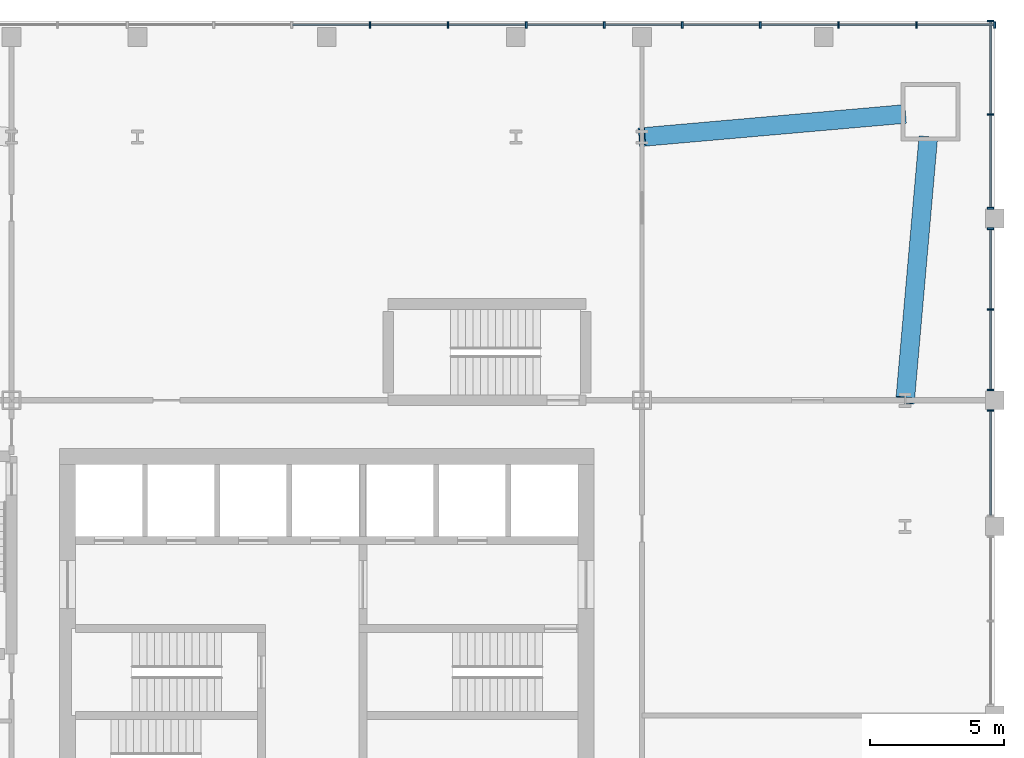
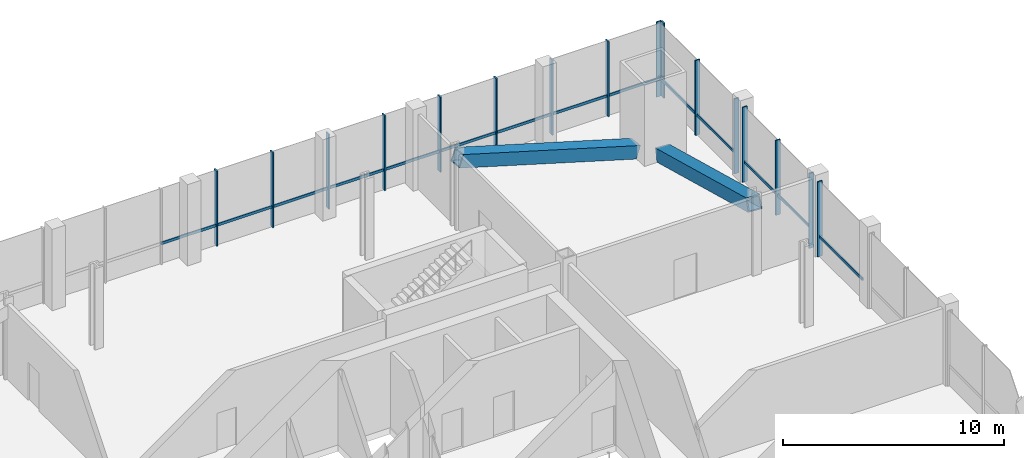
# One storey, part 5 of 15: 32 members, 4 elements without a shape of their own.
"""IFC4 building model written with IfcOpenShell, lengths in metres."""

from ifc_helpers import new_model, si_unit, direction, frame, origin, origin_2d, place, context, subcontext, project, spatial, rectangle, hollow_rectangle, extrude, material, material_profile, profile_set, type_object, element, aggregate, save


model = new_model("IFC4")

# Units and contexts
model_context = context("Model", 3, precision=1e-05, world=origin(), true_north=direction((0.0, 1.0)))
body_context = subcontext(model_context, "Body", "Model", "MODEL_VIEW")
ifc_project = project(units=[si_unit("LENGTHUNIT", "METRE"), si_unit("AREAUNIT", "SQUARE_METRE"), si_unit("VOLUMEUNIT", "CUBIC_METRE"), si_unit("PLANEANGLEUNIT", "RADIAN"), si_unit("MASSUNIT", "GRAM", prefix="KILO")], contexts=[model_context])

# Site, building, storey
site_placement = place(None, origin())
site = spatial("IfcSite", under=ifc_project, at=site_placement, CompositionType="ELEMENT")
building_placement = place(site_placement, origin())
building = spatial("IfcBuilding", under=site, at=building_placement, Name="Turquesa Mirador Hotel Tower", CompositionType="ELEMENT")
storey_placement = place(building_placement, frame((0.0, 0.0, 16.0)))
storey = spatial("IfcBuildingStorey", under=building, at=storey_placement, Name="L03", CompositionType="ELEMENT", Elevation=16.0)

# Curtain wall, member
ifc_material_1 = material(Name="Aluminium extrusion", Category="aluminium")
curtain_wall_type = type_object("IfcCurtainWallType", Name="CW-3 PODIUM UPPER CURTAIN WALL", PredefinedType="USERDEFINED", material=ifc_material_1)
curtain_wall_1_placement = place(storey_placement, origin())
curtain_wall_1 = element("IfcCurtainWall", 1, at=curtain_wall_1_placement, inside=storey, type_object=curtain_wall_type, Name="CW-3 PODIUM UPPER CURTAIN WALL L03", ObjectType="CURTAIN WALL", PredefinedType="USERDEFINED")
ifc_material_2 = material(Name="Aluminium extrusion", Category="aluminium")
ifc_material_profile_1 = material_profile(ifc_material_2, rectangle(XDim=0.06494140625, YDim=0.25, at=origin_2d()), Name="MULLION 65X250")
ifc_profile_set_1 = profile_set([ifc_material_profile_1], Name="Aluminium extrusion")
member_type_1 = type_object("IfcMemberType", Name="CW MULLION 65X250", PredefinedType="MULLION", material=ifc_profile_set_1)
member_1_placement = place(storey_placement, frame((79.85009765625, 56.41552734375, 0.0), z_axis=(0.0, 0.0, 1.0), x_axis=(0.0, 1.0, 0.0)))
member_1 = element("IfcMember", 2, at=member_1_placement, type_object=member_type_1, Name="Mullion", PredefinedType="MULLION", context=body_context, shape_type="SweptSolid", body=[
    extrude(rectangle(XDim=0.06494140625, YDim=0.25, at=origin_2d()), origin(), (0.0, 0.0, 1.0), 4.14990234375),
])

# Curtain wall, members
curtain_wall_2_placement = place(storey_placement, origin())
curtain_wall_2 = element("IfcCurtainWall", 3, at=curtain_wall_2_placement, inside=storey, type_object=curtain_wall_type, Name="CW-3 PODIUM UPPER CURTAIN WALL L03", ObjectType="CURTAIN WALL", PredefinedType="USERDEFINED")
member_2_placement = place(storey_placement, frame((79.85009765625, 57.1845703125, 0.0), z_axis=(0.0, 0.0, 1.0), x_axis=(0.0, 1.0, 0.0)))
member_2 = element("IfcMember", 4, at=member_2_placement, type_object=member_type_1, Name="Mullion", PredefinedType="MULLION", context=body_context, shape_type="SweptSolid", body=[
    extrude(rectangle(XDim=0.06494140625, YDim=0.25, at=origin_2d()), origin(), (0.0, 0.0, 1.0), 4.14990234375),
])
member_3_placement = place(storey_placement, frame((79.85009765625, 60.199951171875, 0.0), z_axis=(0.0, 0.0, 1.0), x_axis=(0.0, 1.0, 0.0)))
member_3 = element("IfcMember", 5, at=member_3_placement, type_object=member_type_1, Name="Mullion", PredefinedType="MULLION", context=body_context, shape_type="SweptSolid", body=[
    extrude(rectangle(XDim=0.06494140625, YDim=0.25, at=origin_2d()), origin(), (0.0, 0.0, 1.0), 4.14990234375),
])
member_4_placement = place(storey_placement, frame((79.85009765625, 63.215576171875, 0.0), z_axis=(0.0, 0.0, 1.0), x_axis=(0.0, 1.0, 0.0)))
member_4 = element("IfcMember", 6, at=member_4_placement, type_object=member_type_1, Name="Mullion", PredefinedType="MULLION", context=body_context, shape_type="SweptSolid", body=[
    extrude(rectangle(XDim=0.06494140625, YDim=0.25, at=origin_2d()), origin(), (0.0, 0.0, 1.0), 4.14990234375),
])

curtain_wall_3_placement = place(storey_placement, origin())
curtain_wall_3 = element("IfcCurtainWall", 7, at=curtain_wall_3_placement, inside=storey, type_object=curtain_wall_type, Name="CW-3 PODIUM UPPER CURTAIN WALL L03", ObjectType="CURTAIN WALL", PredefinedType="USERDEFINED")
member_5_placement = place(storey_placement, frame((79.85009765625, 63.984619140625, 0.0), z_axis=(0.0, 0.0, 1.0), x_axis=(0.0, 1.0, 0.0)))
member_5 = element("IfcMember", 8, at=member_5_placement, type_object=member_type_1, Name="Mullion", PredefinedType="MULLION", context=body_context, shape_type="SweptSolid", body=[
    extrude(rectangle(XDim=0.06494140625, YDim=0.25, at=origin_2d()), origin(), (0.0, 0.0, 1.0), 4.14990234375),
])
member_6_placement = place(storey_placement, frame((79.85009765625, 67.4921875, 0.0), z_axis=(0.0, 0.0, 1.0), x_axis=(0.0, 1.0, 0.0)))
member_6 = element("IfcMember", 9, at=member_6_placement, type_object=member_type_1, Name="Mullion", PredefinedType="MULLION", context=body_context, shape_type="SweptSolid", body=[
    extrude(rectangle(XDim=0.06494140625, YDim=0.25, at=origin_2d()), origin(), (0.0, 0.0, 1.0), 4.14990234375),
])
member_7_placement = place(storey_placement, frame((79.85009765625, 71.0, 0.0), z_axis=(0.0, 0.0, 1.0), x_axis=(0.0, 1.0, 0.0)))
member_7 = element("IfcMember", 10, at=member_7_placement, type_object=member_type_1, Name="Mullion", PredefinedType="MULLION", context=body_context, shape_type="SweptSolid", body=[
    extrude(rectangle(XDim=0.06494140625, YDim=0.25, at=origin_2d()), origin(), (0.0, 0.0, 1.0), 4.14990234375),
])

curtain_wall_4_placement = place(storey_placement, origin())
curtain_wall_4 = element("IfcCurtainWall", 11, at=curtain_wall_4_placement, inside=storey, type_object=curtain_wall_type, Name="CW-3 PODIUM UPPER CURTAIN WALL L03", ObjectType="CURTAIN WALL", PredefinedType="USERDEFINED")
member_8_placement = place(storey_placement, frame((80.0, 70.85009765625, 0.0), z_axis=(0.0, 0.0, 1.0), x_axis=(-1.0, 0.0, 0.0)))
member_8 = element("IfcMember", 12, at=member_8_placement, type_object=member_type_1, Name="Mullion", PredefinedType="MULLION", context=body_context, shape_type="SweptSolid", body=[
    extrude(rectangle(XDim=0.06494140625, YDim=0.25, at=origin_2d()), origin(), (0.0, 0.0, 1.0), 4.14990234375),
])
member_9_placement = place(storey_placement, frame((77.076904296875, 70.85009765625, 0.0), z_axis=(0.0, 0.0, 1.0), x_axis=(-1.0, 0.0, 0.0)))
member_9 = element("IfcMember", 13, at=member_9_placement, type_object=member_type_1, Name="Mullion", PredefinedType="MULLION", context=body_context, shape_type="SweptSolid", body=[
    extrude(rectangle(XDim=0.06494140625, YDim=0.25, at=origin_2d()), origin(), (0.0, 0.0, 1.0), 4.14990234375),
])
member_10_placement = place(storey_placement, frame((74.15380859375, 70.85009765625, 0.0), z_axis=(0.0, 0.0, 1.0), x_axis=(-1.0, 0.0, 0.0)))
member_10 = element("IfcMember", 14, at=member_10_placement, type_object=member_type_1, Name="Mullion", PredefinedType="MULLION", context=body_context, shape_type="SweptSolid", body=[
    extrude(rectangle(XDim=0.06494140625, YDim=0.25, at=origin_2d()), origin(), (0.0, 0.0, 1.0), 4.14990234375),
])
member_11_placement = place(storey_placement, frame((71.230712890625, 70.85009765625, 0.0), z_axis=(0.0, 0.0, 1.0), x_axis=(-1.0, 0.0, 0.0)))
member_11 = element("IfcMember", 15, at=member_11_placement, type_object=member_type_1, Name="Mullion", PredefinedType="MULLION", context=body_context, shape_type="SweptSolid", body=[
    extrude(rectangle(XDim=0.06494140625, YDim=0.25, at=origin_2d()), origin(), (0.0, 0.0, 1.0), 4.14990234375),
])
member_12_placement = place(storey_placement, frame((68.3076171875, 70.85009765625, 0.0), z_axis=(0.0, 0.0, 1.0), x_axis=(-1.0, 0.0, 0.0)))
member_12 = element("IfcMember", 16, at=member_12_placement, type_object=member_type_1, Name="Mullion", PredefinedType="MULLION", context=body_context, shape_type="SweptSolid", body=[
    extrude(rectangle(XDim=0.06494140625, YDim=0.25, at=origin_2d()), origin(), (0.0, 0.0, 1.0), 4.14990234375),
])
member_13_placement = place(storey_placement, frame((65.384521484375, 70.85009765625, 0.0), z_axis=(0.0, 0.0, 1.0), x_axis=(-1.0, 0.0, 0.0)))
member_13 = element("IfcMember", 17, at=member_13_placement, type_object=member_type_1, Name="Mullion", PredefinedType="MULLION", context=body_context, shape_type="SweptSolid", body=[
    extrude(rectangle(XDim=0.06494140625, YDim=0.25, at=origin_2d()), origin(), (0.0, 0.0, 1.0), 4.14990234375),
])
member_14_placement = place(storey_placement, frame((62.464599609375, 70.85009765625, 0.0), z_axis=(0.0, 0.0, 1.0), x_axis=(-1.0, 0.0, 0.0)))
member_14 = element("IfcMember", 18, at=member_14_placement, type_object=member_type_1, Name="Mullion", PredefinedType="MULLION", context=body_context, shape_type="SweptSolid", body=[
    extrude(rectangle(XDim=0.06494140625, YDim=0.25, at=origin_2d()), origin(), (0.0, 0.0, 1.0), 4.14990234375),
])
member_15_placement = place(storey_placement, frame((59.538330078125, 70.85009765625, 0.0), z_axis=(0.0, 0.0, 1.0), x_axis=(-1.0, 0.0, 0.0)))
member_15 = element("IfcMember", 19, at=member_15_placement, type_object=member_type_1, Name="Mullion", PredefinedType="MULLION", context=body_context, shape_type="SweptSolid", body=[
    extrude(rectangle(XDim=0.06494140625, YDim=0.25, at=origin_2d()), origin(), (0.0, 0.0, 1.0), 4.14990234375),
])
member_16_placement = place(storey_placement, frame((56.615234375, 70.85009765625, 0.0), z_axis=(0.0, 0.0, 1.0), x_axis=(-1.0, 0.0, 0.0)))
member_16 = element("IfcMember", 20, at=member_16_placement, type_object=member_type_1, Name="Mullion", PredefinedType="MULLION", context=body_context, shape_type="SweptSolid", body=[
    extrude(rectangle(XDim=0.06494140625, YDim=0.25, at=origin_2d()), origin(), (0.0, 0.0, 1.0), 4.14990234375),
])

# Member
ifc_material_3 = material(Name="Aluminium extrusion", Category="aluminium")
ifc_material_profile_2 = material_profile(ifc_material_3, rectangle(XDim=0.06494140625, YDim=0.14990234375, at=origin_2d()), Name="TRANSOM 65X150")
ifc_profile_set_2 = profile_set([ifc_material_profile_2], Name="Aluminium extrusion")
member_type_2 = type_object("IfcMemberType", Name="CW TRANSOM 65X150", PredefinedType="USERDEFINED", material=ifc_profile_set_2)
member_17_placement = place(storey_placement, frame((79.85009765625, 52.4970703125, 1.10009765625), z_axis=(0.0, 1.0, 0.0), x_axis=(-1.0, 0.0, 0.0)))
member_17 = element("IfcMember", 21, at=member_17_placement, type_object=member_type_2, Name="Transom", ObjectType="TRANSOM", PredefinedType="USERDEFINED", context=body_context, shape_type="SweptSolid", body=[
    extrude(rectangle(XDim=0.06494140625, YDim=0.14990234375, at=origin_2d()), origin(), (0.0, 0.0, 1.0), 3.885986328125),
])

aggregate(curtain_wall_1, [member_1, member_17])

member_18_placement = place(storey_placement, frame((79.85009765625, 57.217041015625, 1.10009765625), z_axis=(0.0, 1.0, 0.0), x_axis=(-1.0, 0.0, 0.0)))
member_18 = element("IfcMember", 22, at=member_18_placement, type_object=member_type_2, Name="Transom", ObjectType="TRANSOM", PredefinedType="USERDEFINED", context=body_context, shape_type="SweptSolid", body=[
    extrude(rectangle(XDim=0.06494140625, YDim=0.14990234375, at=origin_2d()), origin(), (0.0, 0.0, 1.0), 2.950439453125),
])

member_19_placement = place(storey_placement, frame((79.85009765625, 60.232421875, 1.10009765625), z_axis=(0.0, 1.0, 0.0), x_axis=(-1.0, 0.0, 0.0)))
member_19 = element("IfcMember", 23, at=member_19_placement, type_object=member_type_2, Name="Transom", ObjectType="TRANSOM", PredefinedType="USERDEFINED", context=body_context, shape_type="SweptSolid", body=[
    extrude(rectangle(XDim=0.06494140625, YDim=0.14990234375, at=origin_2d()), origin(), (0.0, 0.0, 1.0), 2.95068359375),
])

aggregate(curtain_wall_2, [member_2, member_3, member_4, member_18, member_19])

member_20_placement = place(storey_placement, frame((79.85009765625, 64.01708984375, 1.10009765625), z_axis=(0.0, 1.0, 0.0), x_axis=(-1.0, 0.0, 0.0)))
member_20 = element("IfcMember", 24, at=member_20_placement, type_object=member_type_2, Name="Transom", ObjectType="TRANSOM", PredefinedType="USERDEFINED", context=body_context, shape_type="SweptSolid", body=[
    extrude(rectangle(XDim=0.06494140625, YDim=0.14990234375, at=origin_2d()), origin(), (0.0, 0.0, 1.0), 3.442626953125),
])

member_21_placement = place(storey_placement, frame((79.85009765625, 67.524658203125, 1.10009765625), z_axis=(0.0, 1.0, 0.0), x_axis=(-1.0, 0.0, 0.0)))
member_21 = element("IfcMember", 25, at=member_21_placement, type_object=member_type_2, Name="Transom", ObjectType="TRANSOM", PredefinedType="USERDEFINED", context=body_context, shape_type="SweptSolid", body=[
    extrude(rectangle(XDim=0.06494140625, YDim=0.14990234375, at=origin_2d()), origin(), (0.0, 0.0, 1.0), 3.44287109375),
])

aggregate(curtain_wall_3, [member_5, member_6, member_7, member_20, member_21])

member_22_placement = place(storey_placement, frame((79.967529296875, 70.85009765625, 1.10009765625), z_axis=(-1.0, 0.0, 0.0), x_axis=(0.0, -1.0, 0.0)))
member_22 = element("IfcMember", 26, at=member_22_placement, type_object=member_type_2, Name="Transom", ObjectType="TRANSOM", PredefinedType="USERDEFINED", context=body_context, shape_type="SweptSolid", body=[
    extrude(rectangle(XDim=0.06494140625, YDim=0.14990234375, at=origin_2d()), origin(), (0.0, 0.0, 1.0), 2.858154296875),
])

member_23_placement = place(storey_placement, frame((77.04443359375, 70.85009765625, 1.10009765625), z_axis=(-1.0, 0.0, 0.0), x_axis=(0.0, -1.0, 0.0)))
member_23 = element("IfcMember", 27, at=member_23_placement, type_object=member_type_2, Name="Transom", ObjectType="TRANSOM", PredefinedType="USERDEFINED", context=body_context, shape_type="SweptSolid", body=[
    extrude(rectangle(XDim=0.06494140625, YDim=0.14990234375, at=origin_2d()), origin(), (0.0, 0.0, 1.0), 2.858154296875),
])

member_24_placement = place(storey_placement, frame((74.121337890625, 70.85009765625, 1.10009765625), z_axis=(-1.0, 0.0, 0.0), x_axis=(0.0, -1.0, 0.0)))
member_24 = element("IfcMember", 28, at=member_24_placement, type_object=member_type_2, Name="Transom", ObjectType="TRANSOM", PredefinedType="USERDEFINED", context=body_context, shape_type="SweptSolid", body=[
    extrude(rectangle(XDim=0.06494140625, YDim=0.14990234375, at=origin_2d()), origin(), (0.0, 0.0, 1.0), 2.858154296875),
])

member_25_placement = place(storey_placement, frame((71.1982421875, 70.85009765625, 1.10009765625), z_axis=(-1.0, 0.0, 0.0), x_axis=(0.0, -1.0, 0.0)))
member_25 = element("IfcMember", 29, at=member_25_placement, type_object=member_type_2, Name="Transom", ObjectType="TRANSOM", PredefinedType="USERDEFINED", context=body_context, shape_type="SweptSolid", body=[
    extrude(rectangle(XDim=0.06494140625, YDim=0.14990234375, at=origin_2d()), origin(), (0.0, 0.0, 1.0), 2.858154296875),
])

member_26_placement = place(storey_placement, frame((68.275146484375, 70.85009765625, 1.10009765625), z_axis=(-1.0, 0.0, 0.0), x_axis=(0.0, -1.0, 0.0)))
member_26 = element("IfcMember", 30, at=member_26_placement, type_object=member_type_2, Name="Transom", ObjectType="TRANSOM", PredefinedType="USERDEFINED", context=body_context, shape_type="SweptSolid", body=[
    extrude(rectangle(XDim=0.06494140625, YDim=0.14990234375, at=origin_2d()), origin(), (0.0, 0.0, 1.0), 2.858154296875),
])

member_27_placement = place(storey_placement, frame((65.35205078125, 70.85009765625, 1.10009765625), z_axis=(-1.0, 0.0, 0.0), x_axis=(0.0, -1.0, 0.0)))
member_27 = element("IfcMember", 31, at=member_27_placement, type_object=member_type_2, Name="Transom", ObjectType="TRANSOM", PredefinedType="USERDEFINED", context=body_context, shape_type="SweptSolid", body=[
    extrude(rectangle(XDim=0.06494140625, YDim=0.14990234375, at=origin_2d()), origin(), (0.0, 0.0, 1.0), 2.85498046875),
])

member_28_placement = place(storey_placement, frame((62.431884765625, 70.85009765625, 1.10009765625), z_axis=(-1.0, 0.0, 0.0), x_axis=(0.0, -1.0, 0.0)))
member_28 = element("IfcMember", 32, at=member_28_placement, type_object=member_type_2, Name="Transom", ObjectType="TRANSOM", PredefinedType="USERDEFINED", context=body_context, shape_type="SweptSolid", body=[
    extrude(rectangle(XDim=0.06494140625, YDim=0.14990234375, at=origin_2d()), origin(), (0.0, 0.0, 1.0), 2.861083984375),
])

member_29_placement = place(storey_placement, frame((59.505859375, 70.85009765625, 1.10009765625), z_axis=(-1.0, 0.0, 0.0), x_axis=(0.0, -1.0, 0.0)))
member_29 = element("IfcMember", 33, at=member_29_placement, type_object=member_type_2, Name="Transom", ObjectType="TRANSOM", PredefinedType="USERDEFINED", context=body_context, shape_type="SweptSolid", body=[
    extrude(rectangle(XDim=0.06494140625, YDim=0.14990234375, at=origin_2d()), origin(), (0.0, 0.0, 1.0), 2.85791015625),
])

member_30_placement = place(storey_placement, frame((56.582763671875, 70.85009765625, 1.10009765625), z_axis=(-1.0, 0.0, 0.0), x_axis=(0.0, -1.0, 0.0)))
member_30 = element("IfcMember", 34, at=member_30_placement, type_object=member_type_2, Name="Transom", ObjectType="TRANSOM", PredefinedType="USERDEFINED", context=body_context, shape_type="SweptSolid", body=[
    extrude(rectangle(XDim=0.06494140625, YDim=0.14990234375, at=origin_2d()), origin(), (0.0, 0.0, 1.0), 2.85791015625),
])

aggregate(curtain_wall_4, [member_8, member_9, member_10, member_11, member_12, member_13, member_14, member_15, member_16, member_22, member_23, member_24, member_25, member_26, member_27, member_28, member_29, member_30])

# Members
ifc_material_4 = material(Name="Steel ASTM A572 Grade 50", Category="steel")
ifc_material_profile_3 = material_profile(ifc_material_4, hollow_rectangle(XDim=0.699951171875, YDim=0.699951171875, WallThickness=0.06005859375, at=origin_2d()), Name="BOX700X700X60")
ifc_profile_set_3 = profile_set([ifc_material_profile_3], Name="Steel ASTM A572 Grade 50")
member_type_3 = type_object("IfcMemberType", Name="PODIUM BRACE BOX700X700X60", PredefinedType="BRACE", material=ifc_profile_set_3)
for number, where, z_axis, x_axis, name in (
    (35, (76.550048828125, 67.507568359375, 0.369384765625), (-0.940078203695, -0.082694679727, 0.330778718908), (0.087627369437, -0.996153323603, 0.0), "Podium brace N"),
    (36, (77.507568359375, 66.550048828125, 0.369384765625), (-0.082694679727, -0.940078203695, 0.330778718908), (0.996153323603, -0.087627369437, 0.0), "Podium brace E"),
):
    element("IfcMember", number, at=place(storey_placement, frame(where, z_axis=z_axis, x_axis=x_axis)), inside=storey, type_object=member_type_3, Name=name, PredefinedType="BRACE", context=body_context, shape_type="SweptSolid", body=[
        extrude(hollow_rectangle(XDim=0.699951171875, YDim=0.699951171875, WallThickness=0.06005859375, at=origin_2d()), origin(), (0.0, 0.0, 1.0), 10.37158203125),
    ])

save(model, "model.ifc")
